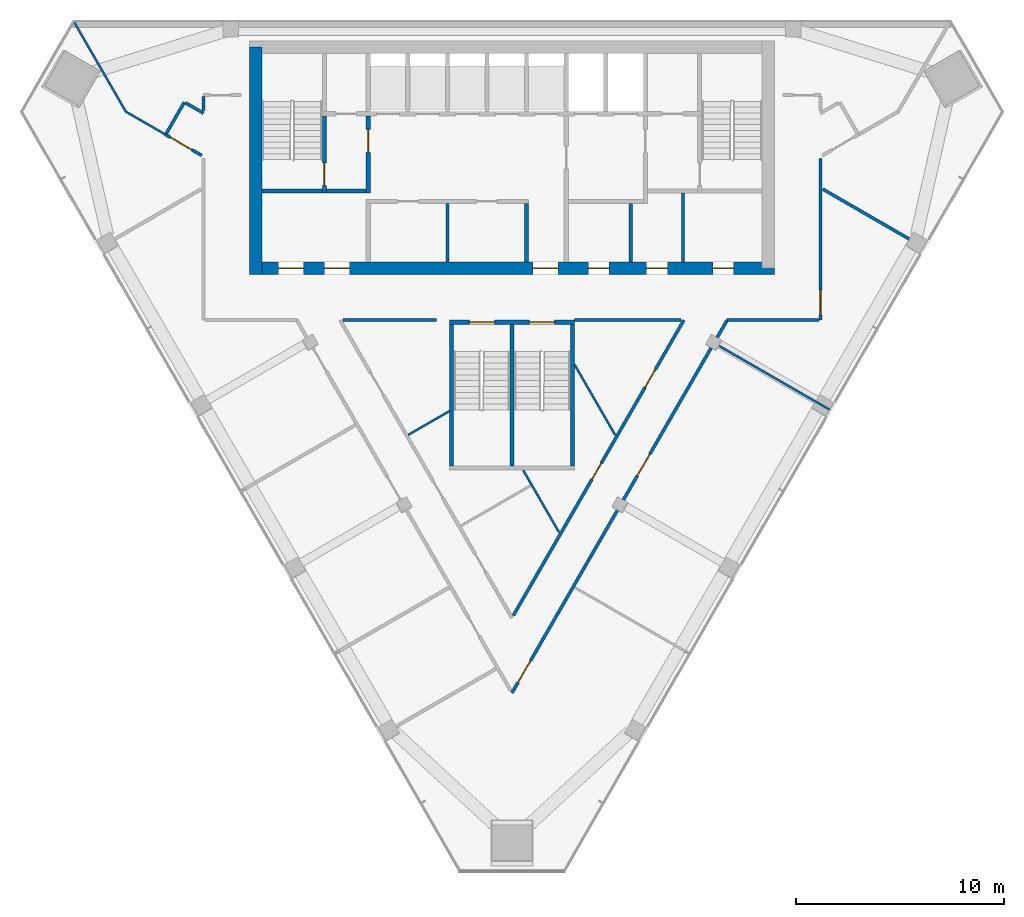
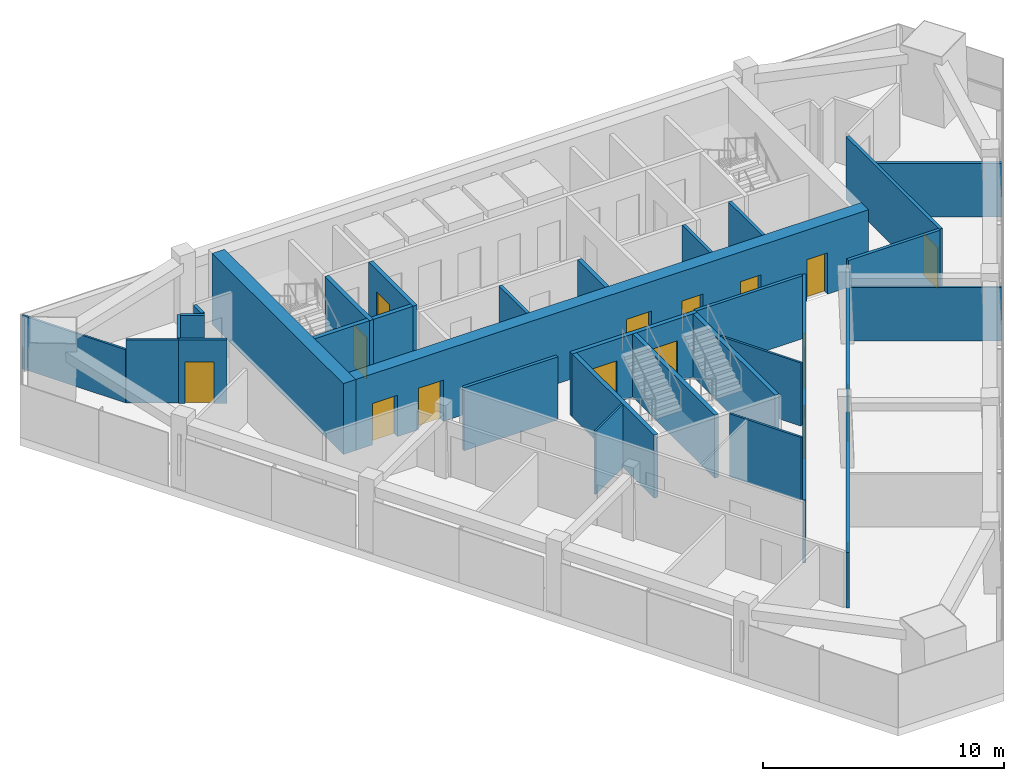
# One storey, part 8 of 12: 31 walls, 16 doors, 16 openings.
"""IFC4 building model written with IfcOpenShell, lengths in metres."""

from ifc_helpers import new_model, si_unit, direction, frame, frame_2d, origin, place, context, subcontext, project, spatial, rectangle, extrude, material, layer, layer_set, type_object, element, fill, save


model = new_model("IFC4")

# Units and contexts
model_context = context("Model", 3, precision=1e-05, world=origin(), true_north=direction((0.0, 1.0)))
body_context = subcontext(model_context, "Body", "Model", "MODEL_VIEW")
ifc_project = project(units=[si_unit("LENGTHUNIT", "METRE"), si_unit("AREAUNIT", "SQUARE_METRE"), si_unit("VOLUMEUNIT", "CUBIC_METRE"), si_unit("PLANEANGLEUNIT", "RADIAN"), si_unit("MASSUNIT", "GRAM", prefix="KILO")], contexts=[model_context])

# Site, building, storey
site_placement = place(None, origin())
site = spatial("IfcSite", under=ifc_project, at=site_placement, CompositionType="ELEMENT")
building_placement = place(site_placement, origin())
building = spatial("IfcBuilding", under=site, at=building_placement, Name="Altiplano Prism Tower", CompositionType="ELEMENT")
storey_placement = place(building_placement, frame((0.0, 0.0, 257.199951171875)))
storey = spatial("IfcBuildingStorey", under=building, at=storey_placement, Name="L66", CompositionType="ELEMENT", Elevation=257.199951171875)

# Wall, openings, doors
ifc_material_1 = material(Name="Concrete C60/75", Category="concrete")
ifc_layer_1 = layer(ifc_material_1, 0.60009765625)
ifc_layer_set_1 = layer_set([ifc_layer_1], Name="Concrete C60/75")
wall_type_1 = type_object("IfcWallType", Name="Core wall 600", PredefinedType="SHEAR", material=ifc_layer_set_1)
wall_1_placement = place(storey_placement, frame((72.699951171875, 93.10009765625, 0.0), z_axis=(0.0, 0.0, 1.0), x_axis=(1.0, 0.0, 0.0)))
wall_1 = element("IfcWall", 1, at=wall_1_placement, inside=storey, type_object=wall_type_1, Name="Core wall S L66", PredefinedType="SHEAR", context=body_context, shape_type="SweptSolid", body=[
    extrude(rectangle(XDim=24.900146484375, YDim=0.60009765625, at=frame_2d((12.4501953125, 0.0))), origin(), (0.0, 0.0, 1.0), 3.60009765625),
])
opening_1_placement = place(wall_1_placement, frame((1.10009765625, 0.0, 0.0)))
opening_1 = element("IfcOpeningElement", 2, at=opening_1_placement, cuts=wall_1, Name="Opening D3507", PredefinedType="OPENING", context=body_context, shape_type="SweptSolid", body=[
    extrude(rectangle(XDim=1.199951171875, YDim=2.10009765625, at=frame_2d((0.60009765625, 1.050048828125))), frame((0.0, 0.310546875, 0.0), z_axis=(0.0, -1.0, 0.0), x_axis=(1.0, 0.0, 0.0)), (0.0, 0.0, 1.0), 0.62109375),
])
opening_2_placement = place(wall_1_placement, frame((3.300048828125, 0.0, 0.0)))
opening_2 = element("IfcOpeningElement", 3, at=opening_2_placement, cuts=wall_1, Name="Opening D3508", PredefinedType="OPENING", context=body_context, shape_type="SweptSolid", body=[
    extrude(rectangle(XDim=1.199951171875, YDim=2.10009765625, at=frame_2d((0.60009765625, 1.050048828125))), frame((0.0, 0.310546875, 0.0), z_axis=(0.0, -1.0, 0.0), x_axis=(1.0, 0.0, 0.0)), (0.0, 0.0, 1.0), 0.62109375),
])
opening_3_placement = place(wall_1_placement, frame((13.300048828125, 0.0, 0.0)))
opening_3 = element("IfcOpeningElement", 4, at=opening_3_placement, cuts=wall_1, Name="Opening D3509", PredefinedType="OPENING", context=body_context, shape_type="SweptSolid", body=[
    extrude(rectangle(XDim=1.199951171875, YDim=2.10009765625, at=frame_2d((0.60009765625, 1.050048828125))), frame((0.0, 0.310546875, 0.0), z_axis=(0.0, -1.0, 0.0), x_axis=(1.0, 0.0, 0.0)), (0.0, 0.0, 1.0), 0.62109375),
])
opening_4_placement = place(wall_1_placement, frame((15.96240234375, 0.0, 0.0)))
opening_4 = element("IfcOpeningElement", 5, at=opening_4_placement, cuts=wall_1, Name="Opening D3512", PredefinedType="OPENING", context=body_context, shape_type="SweptSolid", body=[
    extrude(rectangle(XDim=1.0, YDim=2.10009765625, at=frame_2d((0.5, 1.050048828125))), frame((0.0, 0.310546875, 0.0), z_axis=(0.0, -1.0, 0.0), x_axis=(1.0, 0.0, 0.0)), (0.0, 0.0, 1.0), 0.62109375),
])
opening_5_placement = place(wall_1_placement, frame((18.75, 0.0, 0.0)))
opening_5 = element("IfcOpeningElement", 6, at=opening_5_placement, cuts=wall_1, Name="Opening D3513", PredefinedType="OPENING", context=body_context, shape_type="SweptSolid", body=[
    extrude(rectangle(XDim=1.0, YDim=2.10009765625, at=frame_2d((0.5, 1.050048828125))), frame((0.0, 0.310546875, 0.0), z_axis=(0.0, -1.0, 0.0), x_axis=(1.0, 0.0, 0.0)), (0.0, 0.0, 1.0), 0.62109375),
])
opening_6_placement = place(wall_1_placement, frame((21.9375, 0.0, 0.0)))
opening_6 = element("IfcOpeningElement", 7, at=opening_6_placement, cuts=wall_1, Name="Opening D3514", PredefinedType="OPENING", context=body_context, shape_type="SweptSolid", body=[
    extrude(rectangle(XDim=1.0, YDim=2.10009765625, at=frame_2d((0.5, 1.050048828125))), frame((0.0, 0.310546875, 0.0), z_axis=(0.0, -1.0, 0.0), x_axis=(1.0, 0.0, 0.0)), (0.0, 0.0, 1.0), 0.62109375),
])
ifc_material_2 = material(Name="Fire-rated steel door", Category="steel")
door_type_1 = type_object("IfcDoorType", Name="Core room door 1000 x 2100", OperationType="NOTDEFINED", PredefinedType="NOTDEFINED", material=ifc_material_2)
door_1_placement = place(opening_4_placement, origin())
door_1 = element("IfcDoor", 8, at=door_1_placement, inside=storey, type_object=door_type_1, Name="Core room door D3512", OperationType="SINGLE_SWING_RIGHT", OverallHeight=2.10009765625, OverallWidth=1.0, PredefinedType="NOTDEFINED", context=body_context, shape_type="SweptSolid", body=[
    extrude(rectangle(XDim=1.0, YDim=2.10009765625, at=frame_2d((0.5, 1.050048828125))), frame((0.0, 0.02490234375, 0.0), z_axis=(0.0, -1.0, 0.0), x_axis=(1.0, 0.0, 0.0)), (0.0, 0.0, 1.0), 0.050048828125),
])
fill(opening_4, door_1)
door_2_placement = place(opening_5_placement, origin())
door_2 = element("IfcDoor", 9, at=door_2_placement, inside=storey, type_object=door_type_1, Name="Core room door D3513", OperationType="SINGLE_SWING_LEFT", OverallHeight=2.10009765625, OverallWidth=1.0, PredefinedType="NOTDEFINED", context=body_context, shape_type="SweptSolid", body=[
    extrude(rectangle(XDim=1.0, YDim=2.10009765625, at=frame_2d((0.5, 1.050048828125))), frame((0.0, 0.02490234375, 0.0), z_axis=(0.0, -1.0, 0.0), x_axis=(1.0, 0.0, 0.0)), (0.0, 0.0, 1.0), 0.050048828125),
])
fill(opening_5, door_2)
door_3_placement = place(opening_6_placement, origin())
door_3 = element("IfcDoor", 10, at=door_3_placement, inside=storey, type_object=door_type_1, Name="Core room door D3514", OperationType="SINGLE_SWING_RIGHT", OverallHeight=2.10009765625, OverallWidth=1.0, PredefinedType="NOTDEFINED", context=body_context, shape_type="SweptSolid", body=[
    extrude(rectangle(XDim=1.0, YDim=2.10009765625, at=frame_2d((0.5, 1.050048828125))), frame((0.0, 0.02490234375, 0.0), z_axis=(0.0, -1.0, 0.0), x_axis=(1.0, 0.0, 0.0)), (0.0, 0.0, 1.0), 0.050048828125),
])
fill(opening_6, door_3)
door_type_2 = type_object("IfcDoorType", Name="Lobby fire door 1200 x 2100", OperationType="NOTDEFINED", PredefinedType="NOTDEFINED", material=ifc_material_2)
door_4_placement = place(opening_1_placement, origin())
door_4 = element("IfcDoor", 11, at=door_4_placement, inside=storey, type_object=door_type_2, Name="Lobby fire door D3507", OperationType="SINGLE_SWING_RIGHT", OverallHeight=2.10009765625, OverallWidth=1.199951171875, PredefinedType="NOTDEFINED", context=body_context, shape_type="SweptSolid", body=[
    extrude(rectangle(XDim=1.199951171875, YDim=2.10009765625, at=frame_2d((0.60009765625, 1.050048828125))), frame((0.0, 0.02490234375, 0.0), z_axis=(0.0, -1.0, 0.0), x_axis=(1.0, 0.0, 0.0)), (0.0, 0.0, 1.0), 0.050048828125),
])
fill(opening_1, door_4)
door_5_placement = place(opening_2_placement, origin())
door_5 = element("IfcDoor", 12, at=door_5_placement, inside=storey, type_object=door_type_2, Name="Lobby fire door D3508", OperationType="SINGLE_SWING_LEFT", OverallHeight=2.10009765625, OverallWidth=1.199951171875, PredefinedType="NOTDEFINED", context=body_context, shape_type="SweptSolid", body=[
    extrude(rectangle(XDim=1.199951171875, YDim=2.10009765625, at=frame_2d((0.60009765625, 1.050048828125))), frame((0.0, 0.02490234375, 0.0), z_axis=(0.0, -1.0, 0.0), x_axis=(1.0, 0.0, 0.0)), (0.0, 0.0, 1.0), 0.050048828125),
])
fill(opening_2, door_5)
door_6_placement = place(opening_3_placement, origin())
door_6 = element("IfcDoor", 13, at=door_6_placement, inside=storey, type_object=door_type_2, Name="Lobby fire door D3509", OperationType="SINGLE_SWING_RIGHT", OverallHeight=2.10009765625, OverallWidth=1.199951171875, PredefinedType="NOTDEFINED", context=body_context, shape_type="SweptSolid", body=[
    extrude(rectangle(XDim=1.199951171875, YDim=2.10009765625, at=frame_2d((0.60009765625, 1.050048828125))), frame((0.0, 0.02490234375, 0.0), z_axis=(0.0, -1.0, 0.0), x_axis=(1.0, 0.0, 0.0)), (0.0, 0.0, 1.0), 0.050048828125),
])
fill(opening_3, door_6)

# Walls
wall_2_placement = place(storey_placement, frame((72.699951171875, 103.699951171875, 0.0), z_axis=(0.0, 0.0, 1.0), x_axis=(0.0, -1.0, 0.0)))
element("IfcWall", 14, at=wall_2_placement, inside=storey, type_object=wall_type_1, Name="Core wall W L66", PredefinedType="SHEAR", context=body_context, shape_type="SweptSolid", body=[
    extrude(rectangle(XDim=10.89990234375, YDim=0.60009765625, at=frame_2d((5.449951171875, 0.0))), origin(), (0.0, 0.0, 1.0), 3.60009765625),
])
ifc_material_3 = material(Name="Plasterboard on steel stud", Category="steel")
ifc_layer_2 = layer(ifc_material_3, 0.10009765625)
ifc_layer_set_2 = layer_set([ifc_layer_2], Name="Plasterboard on steel stud")
wall_type_2 = type_object("IfcWallType", Name="Partition 100 wet", PredefinedType="PARTITIONING", material=ifc_layer_set_2)
wall_3_placement = place(storey_placement, frame((89.94921875, 85.0908203125, 0.0), z_axis=(0.0, 0.0, 1.0), x_axis=(-0.499991692596, 0.866030200013, 0.0)))
element("IfcWall", 15, at=wall_3_placement, inside=storey, type_object=wall_type_2, Name="Partition P03 L66 021", PredefinedType="PARTITIONING", context=body_context, shape_type="SweptSolid", body=[
    extrude(rectangle(XDim=3.8984375, YDim=0.10009765625, at=frame_2d((1.94921875, 0.0))), origin(), (0.0, 0.0, 1.0), 3.199951171875),
])
wall_4_placement = place(storey_placement, frame((85.53759765625, 83.39990234375, 0.0), z_axis=(0.0, 0.0, 1.0), x_axis=(0.500021832428, -0.86601279846, 0.0)))
element("IfcWall", 16, at=wall_4_placement, inside=storey, type_object=wall_type_2, Name="Partition P03 L66 022", PredefinedType="PARTITIONING", context=body_context, shape_type="SweptSolid", body=[
    extrude(rectangle(XDim=3.435302734375, YDim=0.10009765625, at=frame_2d((1.7177734375, 0.0))), origin(), (0.0, 0.0, 1.0), 3.199951171875),
])
wall_5_placement = place(storey_placement, frame((82.0, 86.237548828125, 0.0), z_axis=(0.0, 0.0, 1.0), x_axis=(-0.866066459712, -0.499928882304, 0.0)))
element("IfcWall", 17, at=wall_5_placement, inside=storey, type_object=wall_type_2, Name="Partition P03 L66 023", PredefinedType="PARTITIONING", context=body_context, shape_type="SweptSolid", body=[
    extrude(rectangle(XDim=2.286376953125, YDim=0.10009765625, at=frame_2d((1.14306640625, 0.0))), origin(), (0.0, 0.0, 1.0), 3.199951171875),
])
wall_6_placement = place(storey_placement, frame((68.383056640625, 99.5, 0.0), z_axis=(0.0, 0.0, 1.0), x_axis=(-0.866039875853, 0.499974932805, 0.0)))
element("IfcWall", 18, at=wall_6_placement, inside=storey, type_object=wall_type_2, Name="Partition P03 L66 026", PredefinedType="PARTITIONING", context=body_context, shape_type="SweptSolid", body=[
    extrude(rectangle(XDim=2.2041015625, YDim=0.10009765625, at=frame_2d((1.10205078125, 0.0))), origin(), (0.0, 0.0, 1.0), 3.199951171875),
])
wall_7_placement = place(storey_placement, frame((66.47412109375, 100.60205078125, 0.0), z_axis=(0.0, 0.0, 1.0), x_axis=(-0.500012022864, 0.866018462269, 0.0)))
element("IfcWall", 19, at=wall_7_placement, inside=storey, type_object=wall_type_2, Name="Partition P03 L66 027", PredefinedType="PARTITIONING", context=body_context, shape_type="SweptSolid", body=[
    extrude(rectangle(XDim=4.962890625, YDim=0.10009765625, at=frame_2d((2.4814453125, 0.0))), origin(), (0.0, 0.0, 1.0), 2.699951171875),
])
wall_8_placement = place(storey_placement, frame((100.235107421875, 86.306396484375, 0.0), z_axis=(0.0, 0.0, 1.0), x_axis=(-0.866042250622, 0.499970819286, 0.0)))
element("IfcWall", 20, at=wall_8_placement, inside=storey, type_object=wall_type_2, Name="Partition P03 L66 032", PredefinedType="PARTITIONING", context=body_context, shape_type="SweptSolid", body=[
    extrude(rectangle(XDim=6.3251953125, YDim=0.10009765625, at=frame_2d((3.16259765625, 0.0))), origin(), (0.0, 0.0, 1.0), 2.699951171875),
])

# Wall, openings, doors
ifc_layer_3 = layer(ifc_material_3, 0.14990234375)
ifc_layer_set_3 = layer_set([ifc_layer_3], Name="Plasterboard on steel stud")
wall_type_3 = type_object("IfcWallType", Name="Partition 150 corridor", PredefinedType="PARTITIONING", material=ifc_layer_set_3)
wall_9_placement = place(storey_placement, frame((93.245361328125, 90.60009765625, 0.0), z_axis=(0.0, 0.0, 1.0), x_axis=(-0.499992416908, -0.86602978184, 0.0)))
wall_9 = element("IfcWall", 21, at=wall_9_placement, inside=storey, type_object=wall_type_3, Name="Partition P06 L66 001", PredefinedType="PARTITIONING", context=body_context, shape_type="SweptSolid", body=[
    extrude(rectangle(XDim=16.361083984375, YDim=0.14990234375, at=frame_2d((8.1806640625, 0.0))), origin(), (0.0, 0.0, 1.0), 3.199951171875),
])
opening_7_placement = place(wall_9_placement, frame((7.9169921875, 0.0, 0.0)))
opening_7 = element("IfcOpeningElement", 22, at=opening_7_placement, cuts=wall_9, Name="Opening D2125", PredefinedType="OPENING", context=body_context, shape_type="SweptSolid", body=[
    extrude(rectangle(XDim=0.89990234375, YDim=2.10009765625, at=frame_2d((0.449951171875, 1.050048828125))), frame((0.0, 0.08544921875, 0.0), z_axis=(0.0, -1.0, 0.0), x_axis=(1.0, 0.0, 0.0)), (0.0, 0.0, 1.0), 0.1708984375),
])
opening_8_placement = place(wall_9_placement, frame((2.721923828125, 0.0, 0.0)))
opening_8 = element("IfcOpeningElement", 23, at=opening_8_placement, cuts=wall_9, Name="Opening D2138", PredefinedType="OPENING", context=body_context, shape_type="SweptSolid", body=[
    extrude(rectangle(XDim=1.0, YDim=2.10009765625, at=frame_2d((0.5, 1.050048828125))), frame((0.0, 0.08544921875, 0.0), z_axis=(0.0, -1.0, 0.0), x_axis=(1.0, 0.0, 0.0)), (0.0, 0.0, 1.0), 0.1708984375),
])
ifc_material_4 = material(Name="Timber", Category="wood")
door_type_3 = type_object("IfcDoorType", Name="Room door 1000 x 2100", OperationType="NOTDEFINED", PredefinedType="NOTDEFINED", material=ifc_material_4)
door_7_placement = place(opening_8_placement, origin())
door_7 = element("IfcDoor", 24, at=door_7_placement, inside=storey, type_object=door_type_3, Name="Door D2138", OperationType="SINGLE_SWING_LEFT", OverallHeight=2.10009765625, OverallWidth=1.0, PredefinedType="NOTDEFINED", context=body_context, shape_type="SweptSolid", body=[
    extrude(rectangle(XDim=1.0, YDim=2.10009765625, at=frame_2d((0.5, 1.050048828125))), frame((0.0, 0.02490234375, 0.0), z_axis=(0.0, -1.0, 0.0), x_axis=(1.0, 0.0, 0.0)), (0.0, 0.0, 1.0), 0.050048828125),
])
fill(opening_8, door_7)
door_type_4 = type_object("IfcDoorType", Name="Toilet door 900 x 2100", OperationType="NOTDEFINED", PredefinedType="NOTDEFINED", material=ifc_material_4)
door_8_placement = place(opening_7_placement, origin())
door_8 = element("IfcDoor", 25, at=door_8_placement, inside=storey, type_object=door_type_4, Name="Door D2125", OperationType="SINGLE_SWING_LEFT", OverallHeight=2.10009765625, OverallWidth=0.89990234375, PredefinedType="NOTDEFINED", context=body_context, shape_type="SweptSolid", body=[
    extrude(rectangle(XDim=0.89990234375, YDim=2.10009765625, at=frame_2d((0.449951171875, 1.050048828125))), frame((0.0, 0.02490234375, 0.0), z_axis=(0.0, -1.0, 0.0), x_axis=(1.0, 0.0, 0.0)), (0.0, 0.0, 1.0), 0.050048828125),
])
fill(opening_7, door_8)

# Wall, opening, door
wall_10_placement = place(storey_placement, frame((68.36572265625, 99.510009765625, 0.0), z_axis=(0.0, 0.0, 1.0), x_axis=(0.866010470582, -0.500025864173, 0.0)))
wall_10 = element("IfcWall", 26, at=wall_10_placement, inside=storey, type_object=wall_type_3, Name="Partition P06 L66 002", PredefinedType="PARTITIONING", context=body_context, shape_type="SweptSolid", body=[
    extrude(rectangle(XDim=2.02001953125, YDim=0.14990234375, at=frame_2d((1.010009765625, 0.0))), origin(), (0.0, 0.0, 1.0), 3.199951171875),
])
opening_9_placement = place(wall_10_placement, frame((0.282958984375, 0.0, 0.0)))
opening_9 = element("IfcOpeningElement", 27, at=opening_9_placement, cuts=wall_10, Name="Opening D2127", PredefinedType="OPENING", context=body_context, shape_type="SweptSolid", body=[
    extrude(rectangle(XDim=1.199951171875, YDim=2.10009765625, at=frame_2d((0.60009765625, 1.050048828125))), frame((0.0, 0.08544921875, 0.0), z_axis=(0.0, -1.0, 0.0), x_axis=(1.0, 0.0, 0.0)), (0.0, 0.0, 1.0), 0.1708984375),
])
door_type_5 = type_object("IfcDoorType", Name="Shared room door 1200 x 2100", OperationType="NOTDEFINED", PredefinedType="NOTDEFINED", material=ifc_material_4)
door_9_placement = place(opening_9_placement, origin())
door_9 = element("IfcDoor", 28, at=door_9_placement, inside=storey, type_object=door_type_5, Name="Door D2127", OperationType="SINGLE_SWING_LEFT", OverallHeight=2.10009765625, OverallWidth=1.199951171875, PredefinedType="NOTDEFINED", context=body_context, shape_type="SweptSolid", body=[
    extrude(rectangle(XDim=1.199951171875, YDim=2.10009765625, at=frame_2d((0.60009765625, 1.050048828125))), frame((0.0, 0.02490234375, 0.0), z_axis=(0.0, -1.0, 0.0), x_axis=(1.0, 0.0, 0.0)), (0.0, 0.0, 1.0), 0.050048828125),
])
fill(opening_9, door_9)

# Wall, openings, doors
wall_11_placement = place(storey_placement, frame((85.0, 72.718505859375, 0.0), z_axis=(0.0, 0.0, 1.0), x_axis=(0.500001190384, 0.866024716515, 0.0)))
wall_11 = element("IfcWall", 29, at=wall_11_placement, inside=storey, type_object=wall_type_3, Name="Partition P06 L66 006", PredefinedType="PARTITIONING", context=body_context, shape_type="SweptSolid", body=[
    extrude(rectangle(XDim=20.64794921875, YDim=0.14990234375, at=frame_2d((10.323974609375, 0.0))), origin(), (0.0, 0.0, 1.0), 2.800048828125),
])
opening_10_placement = place(wall_11_placement, frame((0.575927734375, 0.0, 0.0)))
opening_10 = element("IfcOpeningElement", 30, at=opening_10_placement, cuts=wall_11, Name="Opening D2131", PredefinedType="OPENING", context=body_context, shape_type="SweptSolid", body=[
    extrude(rectangle(XDim=1.199951171875, YDim=2.10009765625, at=frame_2d((0.60009765625, 1.050048828125))), frame((0.0, 0.08544921875, 0.0), z_axis=(0.0, -1.0, 0.0), x_axis=(1.0, 0.0, 0.0)), (0.0, 0.0, 1.0), 0.1708984375),
])
opening_11_placement = place(wall_11_placement, frame((12.034912109375, 0.0, 0.0)))
opening_11 = element("IfcOpeningElement", 31, at=opening_11_placement, cuts=wall_11, Name="Opening D2132", PredefinedType="OPENING", context=body_context, shape_type="SweptSolid", body=[
    extrude(rectangle(XDim=1.199951171875, YDim=2.10009765625, at=frame_2d((0.60009765625, 1.050048828125))), frame((0.0, 0.08544921875, 0.0), z_axis=(0.0, -1.0, 0.0), x_axis=(1.0, 0.0, 0.0)), (0.0, 0.0, 1.0), 0.1708984375),
])
door_10_placement = place(opening_10_placement, origin())
door_10 = element("IfcDoor", 32, at=door_10_placement, inside=storey, type_object=door_type_5, Name="Door D2131", OperationType="SINGLE_SWING_LEFT", OverallHeight=2.10009765625, OverallWidth=1.199951171875, PredefinedType="NOTDEFINED", context=body_context, shape_type="SweptSolid", body=[
    extrude(rectangle(XDim=1.199951171875, YDim=2.10009765625, at=frame_2d((0.60009765625, 1.050048828125))), frame((0.0, 0.02490234375, 0.0), z_axis=(0.0, -1.0, 0.0), x_axis=(1.0, 0.0, 0.0)), (0.0, 0.0, 1.0), 0.050048828125),
])
fill(opening_10, door_10)
door_11_placement = place(opening_11_placement, origin())
door_11 = element("IfcDoor", 33, at=door_11_placement, inside=storey, type_object=door_type_5, Name="Door D2132", OperationType="SINGLE_SWING_RIGHT", OverallHeight=2.10009765625, OverallWidth=1.199951171875, PredefinedType="NOTDEFINED", context=body_context, shape_type="SweptSolid", body=[
    extrude(rectangle(XDim=1.199951171875, YDim=2.10009765625, at=frame_2d((0.60009765625, 1.050048828125))), frame((0.0, 0.02490234375, 0.0), z_axis=(0.0, -1.0, 0.0), x_axis=(1.0, 0.0, 0.0)), (0.0, 0.0, 1.0), 0.050048828125),
])
fill(opening_11, door_11)

# Wall
wall_12_placement = place(storey_placement, frame((95.323974609375, 90.60009765625, 0.0), z_axis=(0.0, 0.0, 1.0), x_axis=(1.0, 0.0, 0.0)))
element("IfcWall", 34, at=wall_12_placement, inside=storey, type_object=wall_type_3, Name="Partition P06 L66 007", PredefinedType="PARTITIONING", context=body_context, shape_type="SweptSolid", body=[
    extrude(rectangle(XDim=4.401123046875, YDim=0.14990234375, at=frame_2d((2.20068359375, 0.0))), origin(), (0.0, 0.0, 1.0), 3.199951171875),
])

# Wall, opening, door
wall_13_placement = place(storey_placement, frame((99.800048828125, 90.60009765625, 0.0), z_axis=(0.0, 0.0, 1.0), x_axis=(0.0, 1.0, 0.0)))
wall_13 = element("IfcWall", 35, at=wall_13_placement, inside=storey, type_object=wall_type_3, Name="Partition P06 L66 008", PredefinedType="PARTITIONING", context=body_context, shape_type="SweptSolid", body=[
    extrude(rectangle(XDim=7.752685546875, YDim=0.14990234375, at=frame_2d((3.87646484375, 0.0))), origin(), (0.0, 0.0, 1.0), 3.199951171875),
])
opening_12_placement = place(wall_13_placement, frame((0.2509765625, 0.0, 0.0)))
opening_12 = element("IfcOpeningElement", 36, at=opening_12_placement, cuts=wall_13, Name="Opening D2133", PredefinedType="OPENING", context=body_context, shape_type="SweptSolid", body=[
    extrude(rectangle(XDim=1.199951171875, YDim=2.10009765625, at=frame_2d((0.60009765625, 1.050048828125))), frame((0.0, 0.08544921875, 0.0), z_axis=(0.0, -1.0, 0.0), x_axis=(1.0, 0.0, 0.0)), (0.0, 0.0, 1.0), 0.1708984375),
])
door_12_placement = place(opening_12_placement, origin())
door_12 = element("IfcDoor", 37, at=door_12_placement, inside=storey, type_object=door_type_5, Name="Door D2133", OperationType="SINGLE_SWING_RIGHT", OverallHeight=2.10009765625, OverallWidth=1.199951171875, PredefinedType="NOTDEFINED", context=body_context, shape_type="SweptSolid", body=[
    extrude(rectangle(XDim=1.199951171875, YDim=2.10009765625, at=frame_2d((0.60009765625, 1.050048828125))), frame((0.0, 0.02490234375, 0.0), z_axis=(0.0, -1.0, 0.0), x_axis=(1.0, 0.0, 0.0)), (0.0, 0.0, 1.0), 0.050048828125),
])
fill(opening_12, door_12)

# Walls
wall_14_placement = place(storey_placement, frame((70.199951171875, 101.324951171875, 0.0), z_axis=(0.0, 0.0, 1.0), x_axis=(0.0, -1.0, 0.0)))
element("IfcWall", 38, at=wall_14_placement, inside=storey, type_object=wall_type_3, Name="Partition P06 L66 011", PredefinedType="PARTITIONING", context=body_context, shape_type="SweptSolid", body=[
    extrude(rectangle(XDim=0.66552734375, YDim=0.14990234375, at=frame_2d((0.332763671875, 0.0))), origin(), (0.0, 0.0, 1.0), 3.199951171875),
])
wall_15_placement = place(storey_placement, frame((70.199951171875, 100.529296875, 0.0), z_axis=(0.0, 0.0, 1.0), x_axis=(-0.866020293397, 0.500008851346, 0.0)))
element("IfcWall", 39, at=wall_15_placement, inside=storey, type_object=wall_type_3, Name="Partition P06 L66 012", PredefinedType="PARTITIONING", context=body_context, shape_type="SweptSolid", body=[
    extrude(rectangle(XDim=0.98388671875, YDim=0.14990234375, at=frame_2d((0.491943359375, 0.0))), origin(), (0.0, 0.0, 1.0), 3.199951171875),
])
wall_16_placement = place(storey_placement, frame((69.282958984375, 101.058837890625, 0.0), z_axis=(0.0, 0.0, 1.0), x_axis=(-0.500020560727, -0.866013532718, 0.0)))
element("IfcWall", 40, at=wall_16_placement, inside=storey, type_object=wall_type_3, Name="Partition P06 L66 013", PredefinedType="PARTITIONING", context=body_context, shape_type="SweptSolid", body=[
    extrude(rectangle(XDim=1.72509765625, YDim=0.14990234375, at=frame_2d((0.862548828125, 0.0))), origin(), (0.0, 0.0, 1.0), 3.199951171875),
])
wall_17_placement = place(storey_placement, frame((76.884521484375, 90.599853515625, 0.0), z_axis=(0.0, 0.0, 1.0), x_axis=(0.999999986736, -0.00016287529, 0.0)))
element("IfcWall", 41, at=wall_17_placement, inside=storey, type_object=wall_type_3, Name="Partition P06 L66 019", PredefinedType="PARTITIONING", context=body_context, shape_type="SweptSolid", body=[
    extrude(rectangle(XDim=4.496826171875, YDim=0.14990234375, at=frame_2d((2.24853515625, 0.0))), origin(), (0.0, 0.0, 1.0), 3.199951171875),
])
wall_18_placement = place(storey_placement, frame((88.0, 90.59912109375, 0.0), z_axis=(0.0, 0.0, 1.0), x_axis=(0.99999998975, 0.000143177586, 0.0)))
element("IfcWall", 42, at=wall_18_placement, inside=storey, type_object=wall_type_3, Name="Partition P06 L66 020", PredefinedType="PARTITIONING", context=body_context, shape_type="SweptSolid", body=[
    extrude(rectangle(XDim=5.115478515625, YDim=0.14990234375, at=frame_2d((2.5576171875, 0.0))), origin(), (0.0, 0.0, 1.0), 3.199951171875),
])
ifc_layer_4 = layer(ifc_material_3, 0.14990234375)
ifc_layer_set_4 = layer_set([ifc_layer_4], Name="Plasterboard on steel stud")
wall_type_4 = type_object("IfcWallType", Name="Partition 150 party", PredefinedType="PARTITIONING", material=ifc_layer_set_4)
wall_19_placement = place(storey_placement, frame((104.735107421875, 94.1005859375, 0.0), z_axis=(0.0, 0.0, 1.0), x_axis=(-0.866032995015, 0.499986851372, 0.0)))
element("IfcWall", 43, at=wall_19_placement, inside=storey, type_object=wall_type_4, Name="Partition P01 L66 033", PredefinedType="PARTITIONING", context=body_context, shape_type="SweptSolid", body=[
    extrude(rectangle(XDim=5.568603515625, YDim=0.14990234375, at=frame_2d((2.7841796875, 0.0))), origin(), (0.0, 0.0, 1.0), 2.699951171875),
])
ifc_material_5 = material(Name="Fire-rated gypsum board partition")
ifc_layer_5 = layer(ifc_material_5, 0.14990234375)
ifc_layer_set_5 = layer_set([ifc_layer_5], Name="Fire-rated gypsum board partition")
wall_type_5 = type_object("IfcWallType", Name="Room partition 150", PredefinedType="PARTITIONING", material=ifc_layer_set_5)
for number, where, z_axis, x_axis, name in (
    (44, (81.89990234375, 93.39990234375, 0.0), (0.0, 0.0, 1.0), (0.0, 1.0, 0.0), "Room partition L66"),
    (45, (90.699951171875, 93.39990234375, 0.0), (0.0, 0.0, 1.0), (0.0, 1.0, 0.0), "Room partition L66"),
):
    element("IfcWall", number, at=place(storey_placement, frame(where, z_axis=z_axis, x_axis=x_axis)), inside=storey, type_object=wall_type_5, Name=name, PredefinedType="PARTITIONING", context=body_context, shape_type="SweptSolid", body=[
        extrude(rectangle(XDim=2.800048828125, YDim=0.14990234375, at=frame_2d((1.39990234375, 0.0))), origin(), (0.0, 0.0, 1.0), 3.199951171875),
    ])
wall_20_placement = place(storey_placement, frame((93.199951171875, 93.39990234375, 0.0), z_axis=(0.0, 0.0, 1.0), x_axis=(0.0, 1.0, 0.0)))
element("IfcWall", 46, at=wall_20_placement, inside=storey, type_object=wall_type_5, Name="Room partition L66", PredefinedType="PARTITIONING", context=body_context, shape_type="SweptSolid", body=[
    extrude(rectangle(XDim=3.300048828125, YDim=0.14990234375, at=frame_2d((1.64990234375, 0.0))), origin(), (0.0, 0.0, 1.0), 3.199951171875),
])
ifc_layer_6 = layer(ifc_material_1, 0.199951171875)
ifc_layer_set_6 = layer_set([ifc_layer_6], Name="Concrete C60/75")
wall_type_6 = type_object("IfcWallType", Name="Stair wall 200", PredefinedType="SOLIDWALL", material=ifc_layer_set_6)
wall_21_placement = place(storey_placement, frame((73.0, 96.800048828125, 0.0), z_axis=(0.0, 0.0, 1.0), x_axis=(1.0, 0.0, 0.0)))
element("IfcWall", 47, at=wall_21_placement, inside=storey, type_object=wall_type_6, Name="Stair wall L66", PredefinedType="SOLIDWALL", context=body_context, shape_type="SweptSolid", body=[
    extrude(rectangle(XDim=2.89990234375, YDim=0.199951171875, at=frame_2d((1.449951171875, 0.0))), origin(), (0.0, 0.0, 1.0), 3.199951171875),
])

# Wall, opening, door
wall_22_placement = place(storey_placement, frame((76.0, 96.699951171875, 0.0), z_axis=(0.0, 0.0, 1.0), x_axis=(0.0, 1.0, 0.0)))
wall_22 = element("IfcWall", 48, at=wall_22_placement, inside=storey, type_object=wall_type_6, Name="Stair wall L66", PredefinedType="SOLIDWALL", context=body_context, shape_type="SweptSolid", body=[
    extrude(rectangle(XDim=3.699951171875, YDim=0.199951171875, at=frame_2d((1.85009765625, 0.0))), origin(), (0.0, 0.0, 1.0), 3.199951171875),
])
opening_13_placement = place(wall_22_placement, frame((0.35009765625, 0.0, 0.0)))
opening_13 = element("IfcOpeningElement", 49, at=opening_13_placement, cuts=wall_22, Name="Opening D3502", PredefinedType="OPENING", context=body_context, shape_type="SweptSolid", body=[
    extrude(rectangle(XDim=1.10009765625, YDim=2.10009765625, at=frame_2d((0.550048828125, 1.050048828125))), frame((0.0, 0.1103515625, 0.0), z_axis=(0.0, -1.0, 0.0), x_axis=(1.0, 0.0, 0.0)), (0.0, 0.0, 1.0), 0.220947265625),
])
door_type_6 = type_object("IfcDoorType", Name="Stair fire door 1100 x 2100", OperationType="NOTDEFINED", PredefinedType="NOTDEFINED", material=ifc_material_2)
door_13_placement = place(opening_13_placement, origin())
door_13 = element("IfcDoor", 50, at=door_13_placement, inside=storey, type_object=door_type_6, Name="Stair fire door D3502", OperationType="SINGLE_SWING_RIGHT", OverallHeight=2.10009765625, OverallWidth=1.10009765625, PredefinedType="NOTDEFINED", context=body_context, shape_type="SweptSolid", body=[
    extrude(rectangle(XDim=1.10009765625, YDim=2.10009765625, at=frame_2d((0.550048828125, 1.050048828125))), frame((0.0, 0.02490234375, 0.0), z_axis=(0.0, -1.0, 0.0), x_axis=(1.0, 0.0, 0.0)), (0.0, 0.0, 1.0), 0.050048828125),
])
fill(opening_13, door_13)

# Wall, openings, doors
wall_23_placement = place(storey_placement, frame((82.0, 90.5, 0.0), z_axis=(0.0, 0.0, 1.0), x_axis=(1.0, 0.0, 0.0)))
wall_23 = element("IfcWall", 51, at=wall_23_placement, inside=storey, type_object=wall_type_6, Name="Stair 3 wall north L66", PredefinedType="SOLIDWALL", context=body_context, shape_type="SweptSolid", body=[
    extrude(rectangle(XDim=6.0, YDim=0.199951171875, at=frame_2d((3.0, 0.0))), origin(), (0.0, 0.0, 1.0), 3.199951171875),
])
opening_14_placement = place(wall_23_placement, frame((0.949951171875, 0.0, 0.0)))
opening_14 = element("IfcOpeningElement", 52, at=opening_14_placement, cuts=wall_23, Name="Opening D4054", PredefinedType="OPENING", context=body_context, shape_type="SweptSolid", body=[
    extrude(rectangle(XDim=1.199951171875, YDim=2.10009765625, at=frame_2d((0.60009765625, 1.050048828125))), frame((0.0, 0.1103515625, 0.0), z_axis=(0.0, -1.0, 0.0), x_axis=(1.0, 0.0, 0.0)), (0.0, 0.0, 1.0), 0.220947265625),
])
opening_15_placement = place(wall_23_placement, frame((3.85009765625, 0.0, 0.0)))
opening_15 = element("IfcOpeningElement", 53, at=opening_15_placement, cuts=wall_23, Name="Opening D4055", PredefinedType="OPENING", context=body_context, shape_type="SweptSolid", body=[
    extrude(rectangle(XDim=1.199951171875, YDim=2.10009765625, at=frame_2d((0.60009765625, 1.050048828125))), frame((0.0, 0.1103515625, 0.0), z_axis=(0.0, -1.0, 0.0), x_axis=(1.0, 0.0, 0.0)), (0.0, 0.0, 1.0), 0.220947265625),
])
door_type_7 = type_object("IfcDoorType", Name="Stair fire door 1200 x 2100", OperationType="NOTDEFINED", PredefinedType="NOTDEFINED", material=ifc_material_2)
door_14_placement = place(opening_14_placement, origin())
door_14 = element("IfcDoor", 54, at=door_14_placement, inside=storey, type_object=door_type_7, Name="Stair fire door D4054", OperationType="SINGLE_SWING_LEFT", OverallHeight=2.10009765625, OverallWidth=1.199951171875, PredefinedType="NOTDEFINED", context=body_context, shape_type="SweptSolid", body=[
    extrude(rectangle(XDim=1.199951171875, YDim=2.10009765625, at=frame_2d((0.60009765625, 1.050048828125))), frame((0.0, 0.02490234375, 0.0), z_axis=(0.0, -1.0, 0.0), x_axis=(1.0, 0.0, 0.0)), (0.0, 0.0, 1.0), 0.050048828125),
])
fill(opening_14, door_14)
door_15_placement = place(opening_15_placement, origin())
door_15 = element("IfcDoor", 55, at=door_15_placement, inside=storey, type_object=door_type_7, Name="Stair fire door D4055", OperationType="SINGLE_SWING_LEFT", OverallHeight=2.10009765625, OverallWidth=1.199951171875, PredefinedType="NOTDEFINED", context=body_context, shape_type="SweptSolid", body=[
    extrude(rectangle(XDim=1.199951171875, YDim=2.10009765625, at=frame_2d((0.60009765625, 1.050048828125))), frame((0.0, 0.02490234375, 0.0), z_axis=(0.0, -1.0, 0.0), x_axis=(1.0, 0.0, 0.0)), (0.0, 0.0, 1.0), 0.050048828125),
])
fill(opening_15, door_15)

# Walls
for number, where, z_axis, x_axis, name in (
    (56, (82.10009765625, 83.60009765625, 0.0), (0.0, 0.0, 1.0), (0.0, 1.0, 0.0), "Stair 3 wall west L66"),
    (57, (87.89990234375, 83.60009765625, 0.0), (0.0, 0.0, 1.0), (0.0, 1.0, 0.0), "Stair 3 wall east L66"),
    (58, (85.0, 83.60009765625, 0.0), (0.0, 0.0, 1.0), (0.0, 1.0, 0.0), "Stair 3 wall divider L66"),
):
    element("IfcWall", number, at=place(storey_placement, frame(where, z_axis=z_axis, x_axis=x_axis)), inside=storey, type_object=wall_type_6, Name=name, PredefinedType="SOLIDWALL", context=body_context, shape_type="SweptSolid", body=[
        extrude(rectangle(XDim=6.7998046875, YDim=0.199951171875, at=frame_2d((3.39990234375, 0.0))), origin(), (0.0, 0.0, 1.0), 3.199951171875),
    ])
ifc_layer_7 = layer(ifc_material_1, 0.199951171875)
ifc_layer_set_7 = layer_set([ifc_layer_7], Name="Concrete C60/75")
wall_type_7 = type_object("IfcWallType", Name="Vestibule wall 200", PredefinedType="PARTITIONING", material=ifc_layer_set_7)
wall_24_placement = place(storey_placement, frame((85.699951171875, 93.39990234375, 0.0), z_axis=(0.0, 0.0, 1.0), x_axis=(0.0, 1.0, 0.0)))
element("IfcWall", 59, at=wall_24_placement, inside=storey, type_object=wall_type_7, Name="Vestibule wall L66", PredefinedType="PARTITIONING", context=body_context, shape_type="SweptSolid", body=[
    extrude(rectangle(XDim=2.800048828125, YDim=0.199951171875, at=frame_2d((1.39990234375, 0.0))), origin(), (0.0, 0.0, 1.0), 3.199951171875),
])
wall_25_placement = place(storey_placement, frame((76.10009765625, 96.800048828125, 0.0), z_axis=(0.0, 0.0, 1.0), x_axis=(1.0, 0.0, 0.0)))
element("IfcWall", 60, at=wall_25_placement, inside=storey, type_object=wall_type_7, Name="Vestibule wall L66", PredefinedType="PARTITIONING", context=body_context, shape_type="SweptSolid", body=[
    extrude(rectangle(XDim=1.89990234375, YDim=0.199951171875, at=frame_2d((0.949951171875, 0.0))), origin(), (0.0, 0.0, 1.0), 3.199951171875),
])

# Wall, opening, door
wall_26_placement = place(storey_placement, frame((78.10009765625, 96.699951171875, 0.0), z_axis=(0.0, 0.0, 1.0), x_axis=(0.0, 1.0, 0.0)))
wall_26 = element("IfcWall", 61, at=wall_26_placement, inside=storey, type_object=wall_type_7, Name="Vestibule wall L66", PredefinedType="PARTITIONING", context=body_context, shape_type="SweptSolid", body=[
    extrude(rectangle(XDim=3.699951171875, YDim=0.199951171875, at=frame_2d((1.85009765625, 0.0))), origin(), (0.0, 0.0, 1.0), 3.199951171875),
])
opening_16_placement = place(wall_26_placement, frame((1.949951171875, 0.0, 0.0)))
opening_16 = element("IfcOpeningElement", 62, at=opening_16_placement, cuts=wall_26, Name="Opening D3504", PredefinedType="OPENING", context=body_context, shape_type="SweptSolid", body=[
    extrude(rectangle(XDim=1.10009765625, YDim=2.10009765625, at=frame_2d((0.550048828125, 1.050048828125))), frame((0.0, 0.1103515625, 0.0), z_axis=(0.0, -1.0, 0.0), x_axis=(1.0, 0.0, 0.0)), (0.0, 0.0, 1.0), 0.220947265625),
])
door_type_8 = type_object("IfcDoorType", Name="Vestibule fire door 1100 x 2100", OperationType="NOTDEFINED", PredefinedType="NOTDEFINED", material=ifc_material_2)
door_16_placement = place(opening_16_placement, origin())
door_16 = element("IfcDoor", 63, at=door_16_placement, inside=storey, type_object=door_type_8, Name="Vestibule fire door D3504", OperationType="SINGLE_SWING_LEFT", OverallHeight=2.10009765625, OverallWidth=1.10009765625, PredefinedType="NOTDEFINED", context=body_context, shape_type="SweptSolid", body=[
    extrude(rectangle(XDim=1.10009765625, YDim=2.10009765625, at=frame_2d((0.550048828125, 1.050048828125))), frame((0.0, 0.02490234375, 0.0), z_axis=(0.0, -1.0, 0.0), x_axis=(1.0, 0.0, 0.0)), (0.0, 0.0, 1.0), 0.050048828125),
])
fill(opening_16, door_16)

save(model, "model.ifc")
